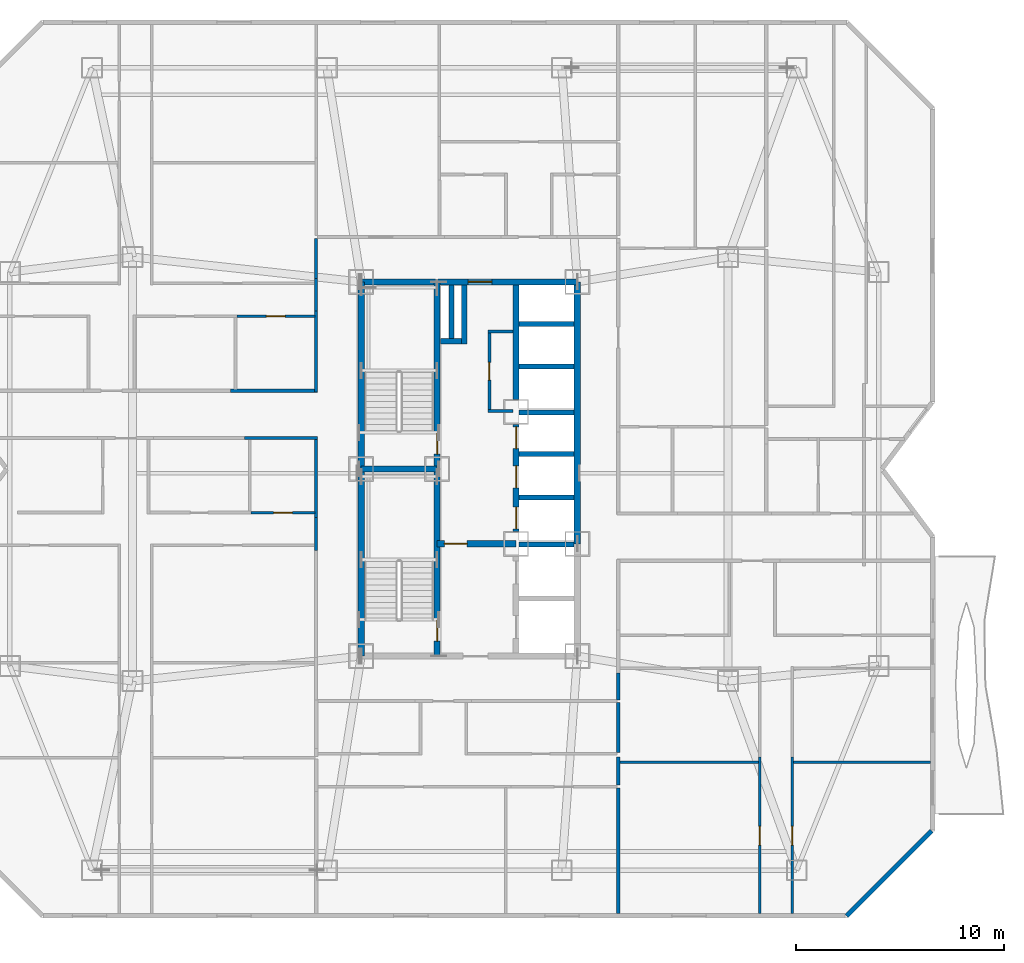
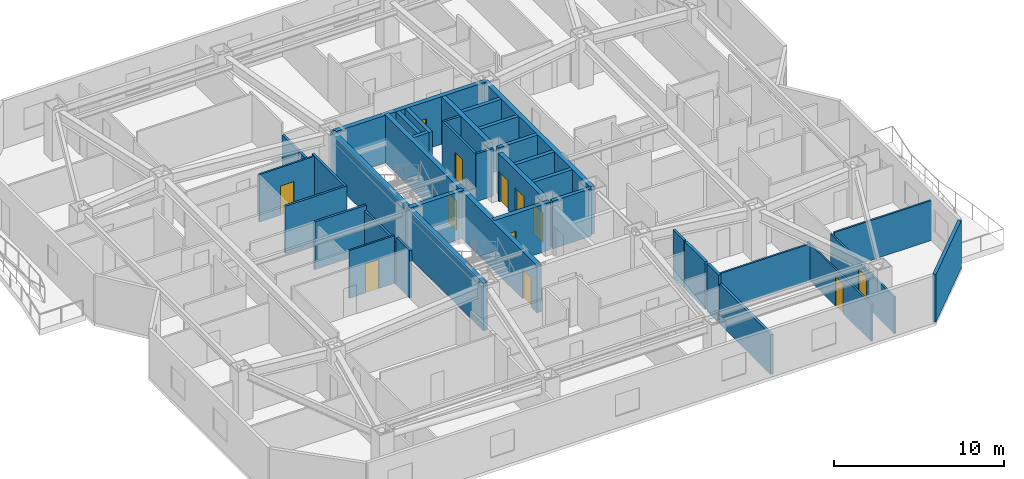
# One storey, part 9 of 14: 40 walls, 12 doors, 12 openings.
"""IFC4 building model written with IfcOpenShell, lengths in metres."""

from ifc_helpers import new_model, si_unit, direction, frame, frame_2d, origin, place, context, subcontext, project, spatial, rectangle, extrude, material, layer, layer_set, type_object, element, fill, save


model = new_model("IFC4")

# Units and contexts
model_context = context("Model", 3, precision=1e-05, world=origin(), true_north=direction((0.0, 1.0)))
body_context = subcontext(model_context, "Body", "Model", "MODEL_VIEW")
ifc_project = project(units=[si_unit("LENGTHUNIT", "METRE"), si_unit("AREAUNIT", "SQUARE_METRE"), si_unit("VOLUMEUNIT", "CUBIC_METRE"), si_unit("PLANEANGLEUNIT", "RADIAN"), si_unit("MASSUNIT", "GRAM", prefix="KILO")], contexts=[model_context])

# Site, building, storey
site_placement = place(None, origin())
site = spatial("IfcSite", under=ifc_project, at=site_placement, CompositionType="ELEMENT")
building_placement = place(site_placement, origin())
building = spatial("IfcBuilding", under=site, at=building_placement, Name="Khamvora Tower", CompositionType="ELEMENT")
storey_placement = place(building_placement, frame((0.0, 0.0, 123.800048828125)))
storey = spatial("IfcBuildingStorey", under=building, at=storey_placement, Name="L31", CompositionType="ELEMENT", Elevation=123.800048828125)

# Walls
ifc_material_1 = material(Name="Concrete C50/60", Category="concrete")
ifc_layer_1 = layer(ifc_material_1, 0.300048828125)
ifc_layer_set_1 = layer_set([ifc_layer_1], Name="Concrete C50/60")
wall_type_1 = type_object("IfcWallType", Name="WAL-CORE-300", PredefinedType="SHEAR", material=ifc_layer_set_1)
for number, where, z_axis, x_axis, name in (
    (1, (29.0, 19.0, 0.0), (0.0, 0.0, 1.0), (0.0, 1.0, 0.0), "L31 central core west south wall"),
    (2, (29.0, 28.0, 0.0), (0.0, 0.0, 1.0), (0.0, 1.0, 0.0), "L31 central core west north wall"),
):
    element("IfcWall", number, at=place(storey_placement, frame(where, z_axis=z_axis, x_axis=x_axis)), inside=storey, type_object=wall_type_1, Name=name, PredefinedType="SHEAR", context=body_context, shape_type="SweptSolid", body=[
        extrude(rectangle(XDim=9.0, YDim=0.300048828125, at=frame_2d((4.5, 0.0))), origin(), (0.0, 0.0, 1.0), 3.429931640625),
    ])

# Wall, opening, door
wall_1_placement = place(storey_placement, frame((29.0, 37.0, 0.0), z_axis=(0.0, 0.0, 1.0), x_axis=(1.0, 0.0, 0.0)))
wall_1 = element("IfcWall", 3, at=wall_1_placement, inside=storey, type_object=wall_type_1, Name="L31 central core north wall", PredefinedType="SHEAR", context=body_context, shape_type="SweptSolid", body=[
    extrude(rectangle(XDim=10.39990234375, YDim=0.300048828125, at=frame_2d((5.199951171875, 0.0))), origin(), (0.0, 0.0, 1.0), 3.429931640625),
])
opening_1_placement = place(wall_1_placement, frame((5.139892578125, 0.0, 0.0)))
opening_1 = element("IfcOpeningElement", 4, at=opening_1_placement, cuts=wall_1, Name="Opening D-SC1", PredefinedType="OPENING", context=body_context, shape_type="SweptSolid", body=[
    extrude(rectangle(XDim=1.14990234375, YDim=2.199951171875, at=frame_2d((0.574951171875, 1.10009765625))), frame((0.0, 0.159912109375, 0.0), z_axis=(0.0, -1.0, 0.0), x_axis=(1.0, 0.0, 0.0)), (0.0, 0.0, 1.0), 0.320068359375),
])
ifc_material_2 = material(Name="Powder-Coated Steel and Hardwood Leaf", Category="steel")
door_type_1 = type_object("IfcDoorType", Name="DOR-SCHL-1150", OperationType="NOTDEFINED", PredefinedType="DOOR", material=ifc_material_2)
door_1_placement = place(opening_1_placement, origin())
door_1 = element("IfcDoor", 5, at=door_1_placement, inside=storey, type_object=door_type_1, Name="L31 north core lobby to corridor fire door", OperationType="SINGLE_SWING_RIGHT", OverallHeight=2.199951171875, OverallWidth=1.14990234375, PredefinedType="DOOR", context=body_context, shape_type="SweptSolid", body=[
    extrude(rectangle(XDim=1.14990234375, YDim=2.199951171875, at=frame_2d((0.574951171875, 1.10009765625))), frame((0.0, 0.02490234375, 0.0), z_axis=(0.0, -1.0, 0.0), x_axis=(1.0, 0.0, 0.0)), (0.0, 0.0, 1.0), 0.050048828125),
])
fill(opening_1, door_1)

# Wall
wall_2_placement = place(storey_placement, frame((39.39990234375, 24.39990234375, 0.0), z_axis=(0.0, 0.0, 1.0), x_axis=(0.0, 1.0, 0.0)))
element("IfcWall", 6, at=wall_2_placement, inside=storey, type_object=wall_type_1, Name="L31 central core east north wall", PredefinedType="SHEAR", context=body_context, shape_type="SweptSolid", body=[
    extrude(rectangle(XDim=12.60009765625, YDim=0.300048828125, at=frame_2d((6.300048828125, 0.0))), origin(), (0.0, 0.0, 1.0), 3.429931640625),
])

# Wall, opening, door
wall_3_placement = place(storey_placement, frame((32.64990234375, 19.0, 0.0), z_axis=(0.0, 0.0, 1.0), x_axis=(0.0, 1.0, 0.0)))
wall_3 = element("IfcWall", 7, at=wall_3_placement, inside=storey, type_object=wall_type_1, Name="L31 central core stair south spine wall", PredefinedType="SHEAR", context=body_context, shape_type="SweptSolid", body=[
    extrude(rectangle(XDim=9.0, YDim=0.300048828125, at=frame_2d((4.5, 0.0))), origin(), (0.0, 0.0, 1.0), 3.429931640625),
])
opening_2_placement = place(wall_3_placement, frame((0.719970703125, 0.0, 0.0)))
opening_2 = element("IfcOpeningElement", 8, at=opening_2_placement, cuts=wall_3, Name="Opening D-ST1", PredefinedType="OPENING", context=body_context, shape_type="SweptSolid", body=[
    extrude(rectangle(XDim=1.0, YDim=2.14990234375, at=frame_2d((0.5, 1.074951171875))), frame((0.0, 0.159912109375, 0.0), z_axis=(0.0, -1.0, 0.0), x_axis=(1.0, 0.0, 0.0)), (0.0, 0.0, 1.0), 0.320068359375),
])
door_type_2 = type_object("IfcDoorType", Name="DOR-STAIR-1000", OperationType="NOTDEFINED", PredefinedType="DOOR", material=ifc_material_2)
door_2_placement = place(opening_2_placement, origin())
door_2 = element("IfcDoor", 9, at=door_2_placement, inside=storey, type_object=door_type_2, Name="L31 exit stair ST-01 fire door", OperationType="SINGLE_SWING_RIGHT", OverallHeight=2.14990234375, OverallWidth=1.0, PredefinedType="DOOR", context=body_context, shape_type="SweptSolid", body=[
    extrude(rectangle(XDim=1.0, YDim=2.14990234375, at=frame_2d((0.5, 1.074951171875))), frame((0.0, 0.02490234375, 0.0), z_axis=(0.0, -1.0, 0.0), x_axis=(1.0, 0.0, 0.0)), (0.0, 0.0, 1.0), 0.050048828125),
])
fill(opening_2, door_2)

wall_4_placement = place(storey_placement, frame((32.64990234375, 28.0, 0.0), z_axis=(0.0, 0.0, 1.0), x_axis=(0.0, 1.0, 0.0)))
wall_4 = element("IfcWall", 10, at=wall_4_placement, inside=storey, type_object=wall_type_1, Name="L31 central core stair north spine wall", PredefinedType="SHEAR", context=body_context, shape_type="SweptSolid", body=[
    extrude(rectangle(XDim=9.0, YDim=0.300048828125, at=frame_2d((4.5, 0.0))), origin(), (0.0, 0.0, 1.0), 3.429931640625),
])
opening_3_placement = place(wall_4_placement, frame((0.719970703125, 0.0, 0.0)))
opening_3 = element("IfcOpeningElement", 11, at=opening_3_placement, cuts=wall_4, Name="Opening D-ST1", PredefinedType="OPENING", context=body_context, shape_type="SweptSolid", body=[
    extrude(rectangle(XDim=1.0, YDim=2.14990234375, at=frame_2d((0.5, 1.074951171875))), frame((0.0, 0.159912109375, 0.0), z_axis=(0.0, -1.0, 0.0), x_axis=(1.0, 0.0, 0.0)), (0.0, 0.0, 1.0), 0.320068359375),
])
door_3_placement = place(opening_3_placement, origin())
door_3 = element("IfcDoor", 12, at=door_3_placement, inside=storey, type_object=door_type_2, Name="L31 exit stair ST-02 fire door", OperationType="SINGLE_SWING_RIGHT", OverallHeight=2.14990234375, OverallWidth=1.0, PredefinedType="DOOR", context=body_context, shape_type="SweptSolid", body=[
    extrude(rectangle(XDim=1.0, YDim=2.14990234375, at=frame_2d((0.5, 1.074951171875))), frame((0.0, 0.02490234375, 0.0), z_axis=(0.0, -1.0, 0.0), x_axis=(1.0, 0.0, 0.0)), (0.0, 0.0, 1.0), 0.050048828125),
])
fill(opening_3, door_3)

# Wall
wall_5_placement = place(storey_placement, frame((29.0, 28.0, 0.0), z_axis=(0.0, 0.0, 1.0), x_axis=(1.0, 0.0, 0.0)))
element("IfcWall", 13, at=wall_5_placement, inside=storey, type_object=wall_type_1, Name="L31 central core stair cross wall", PredefinedType="SHEAR", context=body_context, shape_type="SweptSolid", body=[
    extrude(rectangle(XDim=3.64990234375, YDim=0.300048828125, at=frame_2d((1.824951171875, 0.0))), origin(), (0.0, 0.0, 1.0), 3.429931640625),
])

# Wall, opening, door
wall_6_placement = place(storey_placement, frame((32.64990234375, 24.39990234375, 0.0), z_axis=(0.0, 0.0, 1.0), x_axis=(1.0, 0.0, 0.0)))
wall_6 = element("IfcWall", 14, at=wall_6_placement, inside=storey, type_object=wall_type_1, Name="L31 central core firefighting lobby north wall", PredefinedType="SHEAR", context=body_context, shape_type="SweptSolid", body=[
    extrude(rectangle(XDim=3.800048828125, YDim=0.300048828125, at=frame_2d((1.89990234375, 0.0))), origin(), (0.0, 0.0, 1.0), 3.429931640625),
])
opening_4_placement = place(wall_6_placement, frame((0.35009765625, 0.0, 0.0)))
opening_4 = element("IfcOpeningElement", 15, at=opening_4_placement, cuts=wall_6, Name="Opening D-FF1", PredefinedType="OPENING", context=body_context, shape_type="SweptSolid", body=[
    extrude(rectangle(XDim=1.10009765625, YDim=2.14990234375, at=frame_2d((0.550048828125, 1.074951171875))), frame((0.0, 0.159912109375, 0.0), z_axis=(0.0, -1.0, 0.0), x_axis=(1.0, 0.0, 0.0)), (0.0, 0.0, 1.0), 0.320068359375),
])
door_type_3 = type_object("IfcDoorType", Name="DOR-FFLOB-1100", OperationType="NOTDEFINED", PredefinedType="DOOR", material=ifc_material_2)
door_4_placement = place(opening_4_placement, origin())
door_4 = element("IfcDoor", 16, at=door_4_placement, inside=storey, type_object=door_type_3, Name="L31 firefighting lobby smoke-seal fire door", OperationType="SINGLE_SWING_RIGHT", OverallHeight=2.14990234375, OverallWidth=1.10009765625, PredefinedType="DOOR", context=body_context, shape_type="SweptSolid", body=[
    extrude(rectangle(XDim=1.10009765625, YDim=2.14990234375, at=frame_2d((0.550048828125, 1.074951171875))), frame((0.0, 0.02490234375, 0.0), z_axis=(0.0, -1.0, 0.0), x_axis=(1.0, 0.0, 0.0)), (0.0, 0.0, 1.0), 0.050048828125),
])
fill(opening_4, door_4)

# Wall, openings, doors
wall_7_placement = place(storey_placement, frame((36.449951171875, 25.0, 0.0), z_axis=(0.0, 0.0, 1.0), x_axis=(0.0, 1.0, 0.0)))
wall_7 = element("IfcWall", 17, at=wall_7_placement, inside=storey, type_object=wall_type_1, Name="L31 central core lift bank central wall", PredefinedType="SHEAR", context=body_context, shape_type="SweptSolid", body=[
    extrude(rectangle(XDim=5.14990234375, YDim=0.300048828125, at=frame_2d((2.574951171875, 0.0))), origin(), (0.0, 0.0, 1.0), 3.429931640625),
])
opening_5_placement = place(wall_7_placement, frame((0.1201171875, 0.0, 0.0)))
opening_5 = element("IfcOpeningElement", 18, at=opening_5_placement, cuts=wall_7, Name="Opening LD-PL", PredefinedType="OPENING", context=body_context, shape_type="SweptSolid", body=[
    extrude(rectangle(XDim=1.050048828125, YDim=2.14990234375, at=frame_2d((0.52490234375, 1.074951171875))), frame((0.0, 0.159912109375, 0.0), z_axis=(0.0, -1.0, 0.0), x_axis=(1.0, 0.0, 0.0)), (0.0, 0.0, 1.0), 0.320068359375),
])
opening_6_placement = place(wall_7_placement, frame((2.094970703125, 0.0, 0.0)))
opening_6 = element("IfcOpeningElement", 19, at=opening_6_placement, cuts=wall_7, Name="Opening LD-PL", PredefinedType="OPENING", context=body_context, shape_type="SweptSolid", body=[
    extrude(rectangle(XDim=1.050048828125, YDim=2.14990234375, at=frame_2d((0.52490234375, 1.074951171875))), frame((0.0, 0.159912109375, 0.0), z_axis=(0.0, -1.0, 0.0), x_axis=(1.0, 0.0, 0.0)), (0.0, 0.0, 1.0), 0.320068359375),
])
opening_7_placement = place(wall_7_placement, frame((3.97998046875, 0.0, 0.0)))
opening_7 = element("IfcOpeningElement", 20, at=opening_7_placement, cuts=wall_7, Name="Opening LD-PL", PredefinedType="OPENING", context=body_context, shape_type="SweptSolid", body=[
    extrude(rectangle(XDim=1.050048828125, YDim=2.14990234375, at=frame_2d((0.52490234375, 1.074951171875))), frame((0.0, 0.159912109375, 0.0), z_axis=(0.0, -1.0, 0.0), x_axis=(1.0, 0.0, 0.0)), (0.0, 0.0, 1.0), 0.320068359375),
])
door_type_4 = type_object("IfcDoorType", Name="DOR-LIFT-1050", OperationType="SLIDING_TO_LEFT", PredefinedType="DOOR", material=ifc_material_2)
door_5_placement = place(opening_5_placement, origin())
door_5 = element("IfcDoor", 21, at=door_5_placement, inside=storey, type_object=door_type_4, Name="L31 lift landing sliding door PL-01", OperationType="SLIDING_TO_LEFT", OverallHeight=2.14990234375, OverallWidth=1.050048828125, PredefinedType="DOOR", context=body_context, shape_type="SweptSolid", body=[
    extrude(rectangle(XDim=1.050048828125, YDim=2.14990234375, at=frame_2d((0.52490234375, 1.074951171875))), frame((0.0, 0.02490234375, 0.0), z_axis=(0.0, -1.0, 0.0), x_axis=(1.0, 0.0, 0.0)), (0.0, 0.0, 1.0), 0.050048828125),
])
fill(opening_5, door_5)
door_6_placement = place(opening_6_placement, origin())
door_6 = element("IfcDoor", 22, at=door_6_placement, inside=storey, type_object=door_type_4, Name="L31 lift landing sliding door PL-02", OperationType="SLIDING_TO_LEFT", OverallHeight=2.14990234375, OverallWidth=1.050048828125, PredefinedType="DOOR", context=body_context, shape_type="SweptSolid", body=[
    extrude(rectangle(XDim=1.050048828125, YDim=2.14990234375, at=frame_2d((0.52490234375, 1.074951171875))), frame((0.0, 0.02490234375, 0.0), z_axis=(0.0, -1.0, 0.0), x_axis=(1.0, 0.0, 0.0)), (0.0, 0.0, 1.0), 0.050048828125),
])
fill(opening_6, door_6)
door_7_placement = place(opening_7_placement, origin())
door_7 = element("IfcDoor", 23, at=door_7_placement, inside=storey, type_object=door_type_4, Name="L31 lift landing sliding door PL-03", OperationType="SLIDING_TO_LEFT", OverallHeight=2.14990234375, OverallWidth=1.050048828125, PredefinedType="DOOR", context=body_context, shape_type="SweptSolid", body=[
    extrude(rectangle(XDim=1.050048828125, YDim=2.14990234375, at=frame_2d((0.52490234375, 1.074951171875))), frame((0.0, 0.02490234375, 0.0), z_axis=(0.0, -1.0, 0.0), x_axis=(1.0, 0.0, 0.0)), (0.0, 0.0, 1.0), 0.050048828125),
])
fill(opening_7, door_7)

# Walls
wall_8_placement = place(storey_placement, frame((36.449951171875, 31.35009765625, 0.0), z_axis=(0.0, 0.0, 1.0), x_axis=(0.0, 1.0, 0.0)))
element("IfcWall", 24, at=wall_8_placement, inside=storey, type_object=wall_type_1, Name="L31 central core lift bank north wall", PredefinedType="SHEAR", context=body_context, shape_type="SweptSolid", body=[
    extrude(rectangle(XDim=5.495849609375, YDim=0.300048828125, at=frame_2d((2.748046875, 0.0))), origin(), (0.0, 0.0, 1.0), 3.429931640625),
])
ifc_material_3 = material(Name="Fire-Rated Drywall and Steel Stud", Category="steel")
ifc_layer_2 = layer(ifc_material_3, 0.14990234375)
ifc_layer_set_2 = layer_set([ifc_layer_2], Name="Fire-Rated Drywall and Steel Stud")
wall_type_2 = type_object("IfcWallType", Name="WAL-CORR-150", PredefinedType="STANDARD", material=ifc_layer_set_2)
wall_9_placement = place(storey_placement, frame((36.305908203125, 34.614990234375, 0.0), z_axis=(0.0, 0.0, 1.0), x_axis=(-1.0, 0.0, 0.0)))
element("IfcWall", 25, at=wall_9_placement, inside=storey, type_object=wall_type_2, Name="L31 interior partition wall 001", PredefinedType="STANDARD", context=body_context, shape_type="SweptSolid", body=[
    extrude(rectangle(XDim=1.205810546875, YDim=0.14990234375, at=frame_2d((0.60302734375, 0.0))), origin(), (0.0, 0.0, 1.0), 3.429931640625),
])

# Wall, opening, door
wall_10_placement = place(storey_placement, frame((35.1650390625, 34.677978515625, 0.0), z_axis=(0.0, 0.0, 1.0), x_axis=(0.0, -1.0, 0.0)))
wall_10 = element("IfcWall", 26, at=wall_10_placement, inside=storey, type_object=wall_type_2, Name="L31 interior partition wall 002", PredefinedType="STANDARD", context=body_context, shape_type="SweptSolid", body=[
    extrude(rectangle(XDim=3.9580078125, YDim=0.14990234375, at=frame_2d((1.97900390625, 0.0))), origin(), (0.0, 0.0, 1.0), 3.429931640625),
])
opening_8_placement = place(wall_10_placement, frame((1.553955078125, 0.0, 0.0)))
opening_8 = element("IfcOpeningElement", 27, at=opening_8_placement, cuts=wall_10, Name="Opening D-WC1", PredefinedType="OPENING", context=body_context, shape_type="SweptSolid", body=[
    extrude(rectangle(XDim=0.85009765625, YDim=2.10009765625, at=frame_2d((0.425048828125, 1.050048828125))), frame((0.0, 0.0849609375, 0.0), z_axis=(0.0, -1.0, 0.0), x_axis=(1.0, 0.0, 0.0)), (0.0, 0.0, 1.0), 0.169921875),
])
door_type_5 = type_object("IfcDoorType", Name="DOR-WET-850", OperationType="NOTDEFINED", PredefinedType="DOOR", material=ifc_material_2)
door_8_placement = place(opening_8_placement, origin())
door_8 = element("IfcDoor", 28, at=door_8_placement, inside=storey, type_object=door_type_5, Name="L31 interior door PLL-CS1", OperationType="SINGLE_SWING_LEFT", OverallHeight=2.10009765625, OverallWidth=0.85009765625, PredefinedType="DOOR", context=body_context, shape_type="SweptSolid", body=[
    extrude(rectangle(XDim=0.85009765625, YDim=2.10009765625, at=frame_2d((0.425048828125, 1.050048828125))), frame((0.0, 0.02490234375, 0.0), z_axis=(0.0, -1.0, 0.0), x_axis=(1.0, 0.0, 0.0)), (0.0, 0.0, 1.0), 0.050048828125),
])
fill(opening_8, door_8)

# Walls
wall_11_placement = place(storey_placement, frame((35.10205078125, 30.784912109375, 0.0), z_axis=(0.0, 0.0, 1.0), x_axis=(1.0, 0.0, 0.0)))
element("IfcWall", 29, at=wall_11_placement, inside=storey, type_object=wall_type_2, Name="L31 interior partition wall 003", PredefinedType="STANDARD", context=body_context, shape_type="SweptSolid", body=[
    extrude(rectangle(XDim=1.197998046875, YDim=0.14990234375, at=frame_2d((0.59912109375, 0.0))), origin(), (0.0, 0.0, 1.0), 3.429931640625),
])
wall_12_placement = place(storey_placement, frame((26.8349609375, 25.656005859375, 0.0), z_axis=(0.0, 0.0, 1.0), x_axis=(0.0, 1.0, 0.0)))
element("IfcWall", 30, at=wall_12_placement, inside=storey, type_object=wall_type_2, Name="L31 interior partition wall 005", PredefinedType="STANDARD", context=body_context, shape_type="SweptSolid", body=[
    extrude(rectangle(XDim=3.89404296875, YDim=0.14990234375, at=frame_2d((1.947021484375, 0.0))), origin(), (0.0, 0.0, 1.0), 3.06494140625),
])
wall_13_placement = place(storey_placement, frame((26.89794921875, 29.485107421875, 0.0), z_axis=(0.0, 0.0, 1.0), x_axis=(-1.0, 0.0, 0.0)))
element("IfcWall", 31, at=wall_13_placement, inside=storey, type_object=wall_type_2, Name="L31 interior partition wall 006", PredefinedType="STANDARD", context=body_context, shape_type="SweptSolid", body=[
    extrude(rectangle(XDim=3.510986328125, YDim=0.14990234375, at=frame_2d((1.75537109375, 0.0))), origin(), (0.0, 0.0, 1.0), 3.429931640625),
])
wall_14_placement = place(storey_placement, frame((26.8349609375, 24.075927734375, 0.0), z_axis=(0.0, 0.0, 1.0), x_axis=(0.0, 1.0, 0.0)))
element("IfcWall", 32, at=wall_14_placement, inside=storey, type_object=wall_type_2, Name="L31 interior partition wall 007", PredefinedType="STANDARD", context=body_context, shape_type="SweptSolid", body=[
    extrude(rectangle(XDim=1.580078125, YDim=0.14990234375, at=frame_2d((0.7900390625, 0.0))), origin(), (0.0, 0.0, 1.0), 3.429931640625),
])
wall_15_placement = place(storey_placement, frame((26.8349609375, 31.699951171875, 0.0), z_axis=(0.0, 0.0, 1.0), x_axis=(0.0, 1.0, 0.0)))
element("IfcWall", 33, at=wall_15_placement, inside=storey, type_object=wall_type_2, Name="L31 interior partition wall 013", PredefinedType="STANDARD", context=body_context, shape_type="SweptSolid", body=[
    extrude(rectangle(XDim=3.89404296875, YDim=0.14990234375, at=frame_2d((1.947021484375, 0.0))), origin(), (0.0, 0.0, 1.0), 3.429931640625),
])
wall_16_placement = place(storey_placement, frame((22.7060546875, 31.764892578125, 0.0), z_axis=(0.0, 0.0, 1.0), x_axis=(1.0, 0.0, 0.0)))
element("IfcWall", 34, at=wall_16_placement, inside=storey, type_object=wall_type_2, Name="L31 interior partition wall 014", PredefinedType="STANDARD", context=body_context, shape_type="SweptSolid", body=[
    extrude(rectangle(XDim=4.19189453125, YDim=0.14990234375, at=frame_2d((2.095947265625, 0.0))), origin(), (0.0, 0.0, 1.0), 3.429931640625),
])
wall_17_placement = place(storey_placement, frame((26.8349609375, 35.593994140625, 0.0), z_axis=(0.0, 0.0, 1.0), x_axis=(0.0, 1.0, 0.0)))
element("IfcWall", 35, at=wall_17_placement, inside=storey, type_object=wall_type_2, Name="L31 interior partition wall 015", PredefinedType="STANDARD", context=body_context, shape_type="SweptSolid", body=[
    extrude(rectangle(XDim=1.580078125, YDim=0.14990234375, at=frame_2d((0.7900390625, 0.0))), origin(), (0.0, 0.0, 1.0), 2.64697265625),
])
wall_18_placement = place(storey_placement, frame((26.8349609375, 37.174072265625, 0.0), z_axis=(0.0, 0.0, 1.0), x_axis=(0.0, 1.0, 0.0)))
element("IfcWall", 36, at=wall_18_placement, inside=storey, type_object=wall_type_2, Name="L31 interior partition wall 019", PredefinedType="STANDARD", context=body_context, shape_type="SweptSolid", body=[
    extrude(rectangle(XDim=1.926025390625, YDim=0.14990234375, at=frame_2d((0.962890625, 0.0))), origin(), (0.0, 0.0, 1.0), 2.64697265625),
])
wall_19_placement = place(storey_placement, frame((41.364990234375, 18.176025390625, 0.0), z_axis=(0.0, 0.0, 1.0), x_axis=(0.0, -1.0, 0.0)))
element("IfcWall", 37, at=wall_19_placement, inside=storey, type_object=wall_type_2, Name="L31 interior partition wall 031", PredefinedType="STANDARD", context=body_context, shape_type="SweptSolid", body=[
    extrude(rectangle(XDim=1.276123046875, YDim=0.14990234375, at=frame_2d((0.63818359375, 0.0))), origin(), (0.0, 0.0, 1.0), 3.429931640625),
])
ifc_material_4 = material(Name="Acoustic Double-Stud Fire Wall", Category="gypsum")
ifc_layer_3 = layer(ifc_material_4, 0.179931640625)
ifc_layer_set_3 = layer_set([ifc_layer_3], Name="Acoustic Double-Stud Fire Wall")
wall_type_3 = type_object("IfcWallType", Name="WAL-CORR-180", PredefinedType="STANDARD", material=ifc_layer_set_3)
wall_20_placement = place(storey_placement, frame((41.364990234375, 14.154052734375, 0.0), z_axis=(0.0, 0.0, 1.0), x_axis=(0.0, -1.0, 0.0)))
element("IfcWall", 38, at=wall_20_placement, inside=storey, type_object=wall_type_3, Name="L31 interior partition wall 086", PredefinedType="STANDARD", context=body_context, shape_type="SweptSolid", body=[
    extrude(rectangle(XDim=1.364013671875, YDim=0.179931640625, at=frame_2d((0.68212890625, 0.0))), origin(), (0.0, 0.0, 1.0), 3.429931640625),
])
wall_21_placement = place(storey_placement, frame((41.364990234375, 16.77001953125, 0.0), z_axis=(0.0, 0.0, 1.0), x_axis=(0.0, -1.0, 0.0)))
element("IfcWall", 39, at=wall_21_placement, inside=storey, type_object=wall_type_3, Name="L31 interior partition wall 087", PredefinedType="STANDARD", context=body_context, shape_type="SweptSolid", body=[
    extrude(rectangle(XDim=2.39990234375, YDim=0.179931640625, at=frame_2d((1.199951171875, 0.0))), origin(), (0.0, 0.0, 1.0), 3.429931640625),
])
wall_22_placement = place(storey_placement, frame((41.364990234375, 12.659912109375, 0.0), z_axis=(0.0, 0.0, 1.0), x_axis=(0.0, -1.0, 0.0)))
element("IfcWall", 40, at=wall_22_placement, inside=storey, type_object=wall_type_3, Name="L31 interior partition wall 089", PredefinedType="STANDARD", context=body_context, shape_type="SweptSolid", body=[
    extrude(rectangle(XDim=6.0478515625, YDim=0.179931640625, at=frame_2d((3.02392578125, 0.0))), origin(), (0.0, 0.0, 1.0), 2.8759765625),
])
ifc_material_5 = material(Name="Precast concrete C40/50", Category="concrete")
ifc_layer_4 = layer(ifc_material_5, 0.219970703125)
ifc_layer_set_4 = layer_set([ifc_layer_4], Name="Precast concrete C40/50")
wall_type_4 = type_object("IfcWallType", Name="WAL-EXT-220", PredefinedType="STANDARD", material=ifc_layer_set_4)
wall_23_placement = place(storey_placement, frame((56.43994140625, 10.595947265625, 0.0), z_axis=(0.0, 0.0, 1.0), x_axis=(-0.707106781187, -0.707106781187, 0.0)))
element("IfcWall", 41, at=wall_23_placement, inside=storey, type_object=wall_type_4, Name="L31 exterior facade wall 13.1", PredefinedType="STANDARD", context=body_context, shape_type="SweptSolid", body=[
    extrude(rectangle(XDim=5.7783203125, YDim=0.219970703125, at=frame_2d((2.88916015625, 0.0))), origin(), (0.0, 0.0, 1.0), 3.429931640625),
])

# Wall, opening, door
ifc_material_6 = material(Name="Gypsum Plasterboard Partition", Category="gypsum")
ifc_layer_5 = layer(ifc_material_6, 0.1201171875)
ifc_layer_set_5 = layer_set([ifc_layer_5], Name="Gypsum Plasterboard Partition")
wall_type_5 = type_object("IfcWallType", Name="WAL-PART-120", PredefinedType="PARTITIONING", material=ifc_layer_set_5)
wall_24_placement = place(storey_placement, frame((26.77001953125, 25.905029296875, 0.0), z_axis=(0.0, 0.0, 1.0), x_axis=(-1.0, 0.0, 0.0)))
wall_24 = element("IfcWall", 42, at=wall_24_placement, inside=storey, type_object=wall_type_5, Name="L31 interior partition wall 044", PredefinedType="PARTITIONING", context=body_context, shape_type="SweptSolid", body=[
    extrude(rectangle(XDim=3.069091796875, YDim=0.1201171875, at=frame_2d((1.53466796875, 0.0))), origin(), (0.0, 0.0, 1.0), 3.429931640625),
])
opening_9_placement = place(wall_24_placement, frame((1.0849609375, 0.0, 0.0)))
opening_9 = element("IfcOpeningElement", 43, at=opening_9_placement, cuts=wall_24, Name="Opening D-RM1", PredefinedType="OPENING", context=body_context, shape_type="SweptSolid", body=[
    extrude(rectangle(XDim=0.89990234375, YDim=2.10009765625, at=frame_2d((0.449951171875, 1.050048828125))), frame((0.0, 0.070068359375, 0.0), z_axis=(0.0, -1.0, 0.0), x_axis=(1.0, 0.0, 0.0)), (0.0, 0.0, 1.0), 0.14013671875),
])
door_type_6 = type_object("IfcDoorType", Name="DOR-ROOM-900", OperationType="NOTDEFINED", PredefinedType="DOOR", material=ifc_material_2)
door_9_placement = place(opening_9_placement, origin())
door_9 = element("IfcDoor", 44, at=door_9_placement, inside=storey, type_object=door_type_6, Name="L31 interior door 31WAW2-31WAH", OperationType="SINGLE_SWING_RIGHT", OverallHeight=2.10009765625, OverallWidth=0.89990234375, PredefinedType="DOOR", context=body_context, shape_type="SweptSolid", body=[
    extrude(rectangle(XDim=0.89990234375, YDim=2.10009765625, at=frame_2d((0.449951171875, 1.050048828125))), frame((0.0, 0.02490234375, 0.0), z_axis=(0.0, -1.0, 0.0), x_axis=(1.0, 0.0, 0.0)), (0.0, 0.0, 1.0), 0.050048828125),
])
fill(opening_9, door_9)

wall_25_placement = place(storey_placement, frame((23.02001953125, 35.344970703125, 0.0), z_axis=(0.0, 0.0, 1.0), x_axis=(1.0, 0.0, 0.0)))
wall_25 = element("IfcWall", 45, at=wall_25_placement, inside=storey, type_object=wall_type_5, Name="L31 interior partition wall 066", PredefinedType="PARTITIONING", context=body_context, shape_type="SweptSolid", body=[
    extrude(rectangle(XDim=3.75, YDim=0.1201171875, at=frame_2d((1.875, 0.0))), origin(), (0.0, 0.0, 1.0), 3.429931640625),
])
opening_10_placement = place(wall_25_placement, frame((1.425048828125, 0.0, 0.0)))
opening_10 = element("IfcOpeningElement", 46, at=opening_10_placement, cuts=wall_25, Name="Opening D-RM1", PredefinedType="OPENING", context=body_context, shape_type="SweptSolid", body=[
    extrude(rectangle(XDim=0.89990234375, YDim=2.10009765625, at=frame_2d((0.449951171875, 1.050048828125))), frame((0.0, 0.070068359375, 0.0), z_axis=(0.0, -1.0, 0.0), x_axis=(1.0, 0.0, 0.0)), (0.0, 0.0, 1.0), 0.14013671875),
])
door_10_placement = place(opening_10_placement, origin())
door_10 = element("IfcDoor", 47, at=door_10_placement, inside=storey, type_object=door_type_6, Name="L31 interior door 31WBW2-31WBH", OperationType="SINGLE_SWING_RIGHT", OverallHeight=2.10009765625, OverallWidth=0.89990234375, PredefinedType="DOOR", context=body_context, shape_type="SweptSolid", body=[
    extrude(rectangle(XDim=0.89990234375, YDim=2.10009765625, at=frame_2d((0.449951171875, 1.050048828125))), frame((0.0, 0.02490234375, 0.0), z_axis=(0.0, -1.0, 0.0), x_axis=(1.0, 0.0, 0.0)), (0.0, 0.0, 1.0), 0.050048828125),
])
fill(opening_10, door_10)

wall_26_placement = place(storey_placement, frame((48.175048828125, 6.612060546875, 0.0), z_axis=(0.0, 0.0, 1.0), x_axis=(0.0, 1.0, 0.0)))
wall_26 = element("IfcWall", 48, at=wall_26_placement, inside=storey, type_object=wall_type_5, Name="L31 interior partition wall 102", PredefinedType="PARTITIONING", context=body_context, shape_type="SweptSolid", body=[
    extrude(rectangle(XDim=7.5419921875, YDim=0.1201171875, at=frame_2d((3.77099609375, 0.0))), origin(), (0.0, 0.0, 1.0), 2.64697265625),
])
opening_11_placement = place(wall_26_placement, frame((3.300048828125, 0.0, 0.0)))
opening_11 = element("IfcOpeningElement", 49, at=opening_11_placement, cuts=wall_26, Name="Opening D-RM1", PredefinedType="OPENING", context=body_context, shape_type="SweptSolid", body=[
    extrude(rectangle(XDim=0.89990234375, YDim=2.10009765625, at=frame_2d((0.449951171875, 1.050048828125))), frame((0.0, 0.070068359375, 0.0), z_axis=(0.0, -1.0, 0.0), x_axis=(1.0, 0.0, 0.0)), (0.0, 0.0, 1.0), 0.14013671875),
])
door_11_placement = place(opening_11_placement, origin())
door_11 = element("IfcDoor", 50, at=door_11_placement, inside=storey, type_object=door_type_6, Name="L31 interior door 31EAH-31EAR1", OperationType="SINGLE_SWING_RIGHT", OverallHeight=2.10009765625, OverallWidth=0.89990234375, PredefinedType="DOOR", context=body_context, shape_type="SweptSolid", body=[
    extrude(rectangle(XDim=0.89990234375, YDim=2.10009765625, at=frame_2d((0.449951171875, 1.050048828125))), frame((0.0, 0.02490234375, 0.0), z_axis=(0.0, -1.0, 0.0), x_axis=(1.0, 0.0, 0.0)), (0.0, 0.0, 1.0), 0.050048828125),
])
fill(opening_11, door_11)

wall_27_placement = place(storey_placement, frame((49.7451171875, 14.154052734375, 0.0), z_axis=(0.0, 0.0, 1.0), x_axis=(0.0, -1.0, 0.0)))
wall_27 = element("IfcWall", 51, at=wall_27_placement, inside=storey, type_object=wall_type_5, Name="L31 interior partition wall 105", PredefinedType="PARTITIONING", context=body_context, shape_type="SweptSolid", body=[
    extrude(rectangle(XDim=7.5419921875, YDim=0.1201171875, at=frame_2d((3.77099609375, 0.0))), origin(), (0.0, 0.0, 1.0), 2.64697265625),
])
opening_12_placement = place(wall_27_placement, frame((3.342041015625, 0.0, 0.0)))
opening_12 = element("IfcOpeningElement", 52, at=opening_12_placement, cuts=wall_27, Name="Opening D-RM1", PredefinedType="OPENING", context=body_context, shape_type="SweptSolid", body=[
    extrude(rectangle(XDim=0.89990234375, YDim=2.10009765625, at=frame_2d((0.449951171875, 1.050048828125))), frame((0.0, 0.070068359375, 0.0), z_axis=(0.0, -1.0, 0.0), x_axis=(1.0, 0.0, 0.0)), (0.0, 0.0, 1.0), 0.14013671875),
])
door_12_placement = place(opening_12_placement, origin())
door_12 = element("IfcDoor", 53, at=door_12_placement, inside=storey, type_object=door_type_6, Name="L31 interior door 31EAH-31EAR3", OperationType="SINGLE_SWING_LEFT", OverallHeight=2.10009765625, OverallWidth=0.89990234375, PredefinedType="DOOR", context=body_context, shape_type="SweptSolid", body=[
    extrude(rectangle(XDim=0.89990234375, YDim=2.10009765625, at=frame_2d((0.449951171875, 1.050048828125))), frame((0.0, 0.02490234375, 0.0), z_axis=(0.0, -1.0, 0.0), x_axis=(1.0, 0.0, 0.0)), (0.0, 0.0, 1.0), 0.050048828125),
])
fill(opening_12, door_12)

# Walls
wall_28_placement = place(storey_placement, frame((41.447021484375, 13.905029296875, 0.0), z_axis=(0.0, 0.0, 1.0), x_axis=(1.0, 0.0, 0.0)))
element("IfcWall", 54, at=wall_28_placement, inside=storey, type_object=wall_type_5, Name="L31 interior partition wall 108", PredefinedType="PARTITIONING", context=body_context, shape_type="SweptSolid", body=[
    extrude(rectangle(XDim=6.674072265625, YDim=0.1201171875, at=frame_2d((3.3369140625, 0.0))), origin(), (0.0, 0.0, 1.0), 2.64697265625),
])
wall_29_placement = place(storey_placement, frame((49.799072265625, 13.905029296875, 0.0), z_axis=(0.0, 0.0, 1.0), x_axis=(1.0, 0.0, 0.0)))
element("IfcWall", 55, at=wall_29_placement, inside=storey, type_object=wall_type_5, Name="L31 interior partition wall 109", PredefinedType="PARTITIONING", context=body_context, shape_type="SweptSolid", body=[
    extrude(rectangle(XDim=6.5888671875, YDim=0.1201171875, at=frame_2d((3.29443359375, 0.0))), origin(), (0.0, 0.0, 1.0), 2.8759765625),
])
ifc_material_7 = material(Name="Concrete C40/50", Category="concrete")
ifc_layer_6 = layer(ifc_material_7, 0.25)
ifc_layer_set_6 = layer_set([ifc_layer_6], Name="Concrete C40/50")
wall_type_6 = type_object("IfcWallType", Name="WAL-PODS-250", PredefinedType="SHEAR", material=ifc_layer_set_6)
for number, where, z_axis, x_axis, name in (
    (56, (36.60400390625, 24.375, 0.0), (0.0, 0.0, 1.0), (1.0, 0.0, 0.0), "L31 lift shaft divider wall FFL-02"),
    (57, (36.60400390625, 26.625, 0.0), (0.0, 0.0, 1.0), (1.0, 0.0, 0.0), "L31 lift shaft divider wall PL-01"),
    (58, (36.60400390625, 28.72509765625, 0.0), (0.0, 0.0, 1.0), (1.0, 0.0, 0.0), "L31 lift shaft divider wall PL-02"),
    (59, (36.60400390625, 30.72509765625, 0.0), (0.0, 0.0, 1.0), (1.0, 0.0, 0.0), "L31 lift shaft divider wall PL-03"),
    (60, (36.60400390625, 32.925048828125, 0.0), (0.0, 0.0, 1.0), (1.0, 0.0, 0.0), "L31 lift shaft divider wall PH-01"),
    (61, (36.60400390625, 34.97509765625, 0.0), (0.0, 0.0, 1.0), (1.0, 0.0, 0.0), "L31 lift shaft divider wall PH-02"),
):
    element("IfcWall", number, at=place(storey_placement, frame(where, z_axis=z_axis, x_axis=x_axis)), inside=storey, type_object=wall_type_6, Name=name, PredefinedType="SHEAR", context=body_context, shape_type="SweptSolid", body=[
        extrude(rectangle(XDim=2.64208984375, YDim=0.25, at=frame_2d((1.321044921875, 0.0))), origin(), (0.0, 0.0, 1.0), 3.429931640625),
    ])
wall_30_placement = place(storey_placement, frame((33.955078125, 34.02490234375, 0.0), z_axis=(0.0, 0.0, 1.0), x_axis=(0.0, 1.0, 0.0)))
element("IfcWall", 62, at=wall_30_placement, inside=storey, type_object=wall_type_6, Name="L31 vertical MEP riser shaft east enclosure wall", PredefinedType="SHEAR", context=body_context, shape_type="SweptSolid", body=[
    extrude(rectangle(XDim=2.821044921875, YDim=0.25, at=frame_2d((1.41064453125, 0.0))), origin(), (0.0, 0.0, 1.0), 3.429931640625),
])
wall_31_placement = place(storey_placement, frame((32.803955078125, 34.14990234375, 0.0), z_axis=(0.0, 0.0, 1.0), x_axis=(1.0, 0.0, 0.0)))
element("IfcWall", 63, at=wall_31_placement, inside=storey, type_object=wall_type_6, Name="L31 vertical MEP riser shaft south enclosure wall", PredefinedType="SHEAR", context=body_context, shape_type="SweptSolid", body=[
    extrude(rectangle(XDim=1.02197265625, YDim=0.25, at=frame_2d((0.510986328125, 0.0))), origin(), (0.0, 0.0, 1.0), 3.429931640625),
])
wall_32_placement = place(storey_placement, frame((33.340087890625, 34.279052734375, 0.0), z_axis=(0.0, 0.0, 1.0), x_axis=(0.0, 1.0, 0.0)))
element("IfcWall", 64, at=wall_32_placement, inside=storey, type_object=wall_type_6, Name="L31 vertical MEP riser shaft divider enclosure wall", PredefinedType="SHEAR", context=body_context, shape_type="SweptSolid", body=[
    extrude(rectangle(XDim=2.56689453125, YDim=0.25, at=frame_2d((1.283447265625, 0.0))), origin(), (0.0, 0.0, 1.0), 3.429931640625),
])

save(model, "model.ifc")
